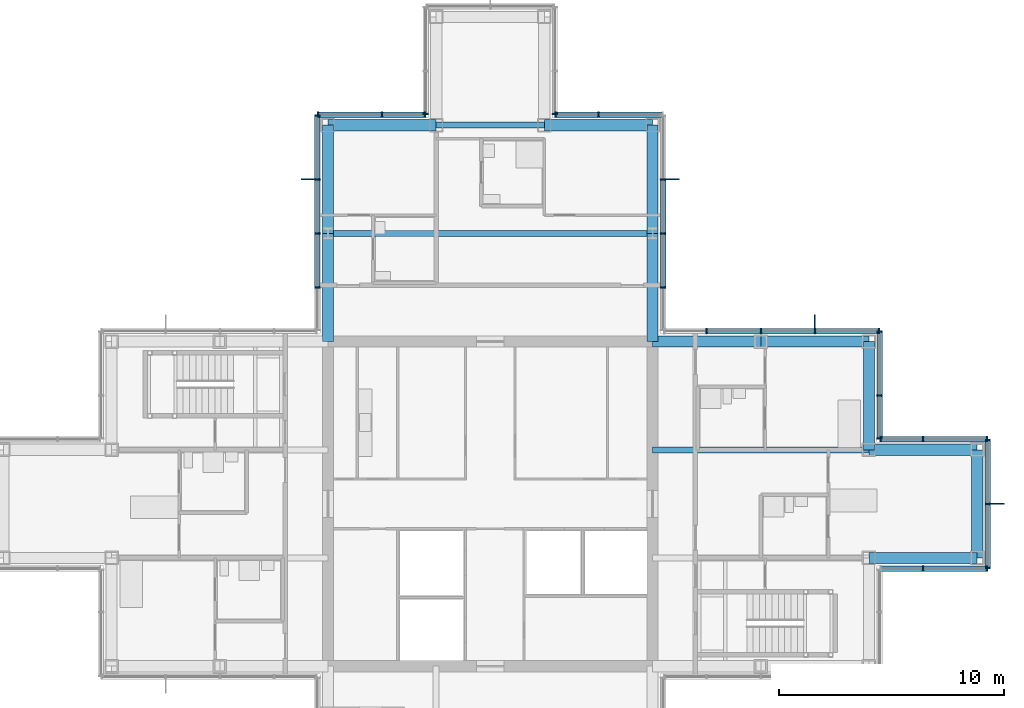
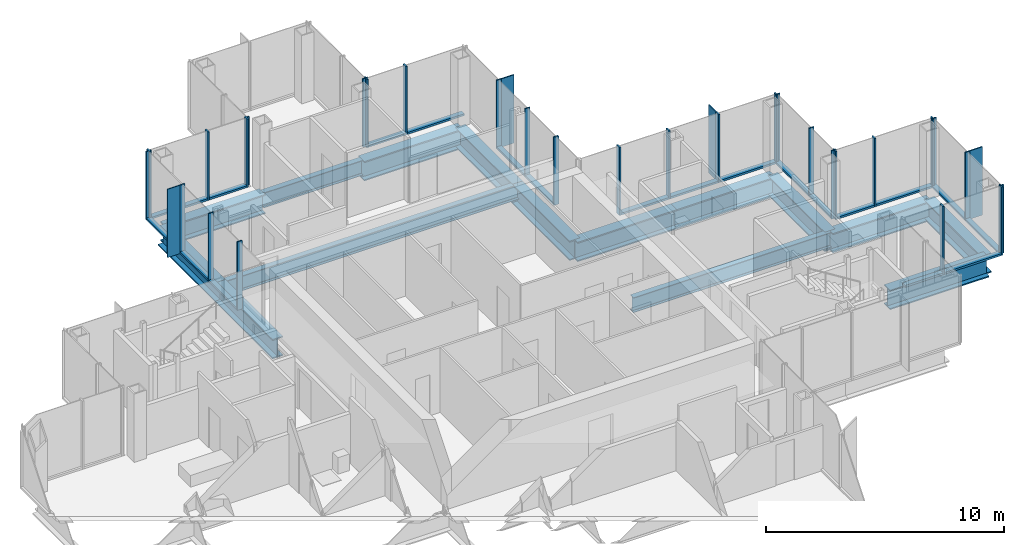
# One storey, part 8 of 17: 53 members, 15 beams, 11 elements without a shape of their own.
"""IFC4 building model written with IfcOpenShell, lengths in metres."""

from ifc_helpers import new_model, si_unit, direction, frame, origin, origin_2d, place, context, subcontext, project, spatial, rectangle, i_section, extrude, material, material_profile, profile_set, type_object, element, aggregate, save


model = new_model("IFC4")

# Units and contexts
model_context = context("Model", 3, precision=1e-05, world=origin(), true_north=direction((0.0, 1.0)))
body_context = subcontext(model_context, "Body", "Model", "MODEL_VIEW")
ifc_project = project(units=[si_unit("LENGTHUNIT", "METRE"), si_unit("AREAUNIT", "SQUARE_METRE"), si_unit("VOLUMEUNIT", "CUBIC_METRE"), si_unit("PLANEANGLEUNIT", "RADIAN"), si_unit("MASSUNIT", "GRAM", prefix="KILO")], contexts=[model_context])

# Site, building, storey
site_placement = place(None, origin())
site = spatial("IfcSite", under=ifc_project, at=site_placement, CompositionType="ELEMENT")
building_placement = place(site_placement, origin())
building = spatial("IfcBuilding", under=site, at=building_placement, Name="Kvirike Care Tower", CompositionType="ELEMENT")
storey_placement = place(building_placement, frame((0.0, 0.0, 165.5)))
storey = spatial("IfcBuildingStorey", under=building, at=storey_placement, Name="L45", CompositionType="ELEMENT", Elevation=165.5)

# Curtain wall, member
ifc_material_1 = material(Name="Anodised aluminium stick system", Category="aluminium")
curtain_wall_type = type_object("IfcCurtainWallType", Name="CW-C STICK CURTAIN WALL", PredefinedType="NOTDEFINED", material=ifc_material_1)
curtain_wall_1_placement = place(storey_placement, origin())
curtain_wall_1 = element("IfcCurtainWall", 1, at=curtain_wall_1_placement, inside=storey, type_object=curtain_wall_type, Name="Curtain wall L45 face 4", PredefinedType="NOTDEFINED")
ifc_material_2 = material(Name="Bronze anodised aluminium fin", Category="aluminium")
ifc_material_profile_1 = material_profile(ifc_material_2, rectangle(XDim=0.050048828125, YDim=0.60009765625, at=origin_2d()), Name="BRONZE FIN 600")
ifc_profile_set_1 = profile_set([ifc_material_profile_1], Name="Bronze anodised aluminium fin")
member_type_1 = type_object("IfcMemberType", Name="BRONZE FIN 600", PredefinedType="USERDEFINED", material=ifc_profile_set_1)
member_1_placement = place(storey_placement, frame((44.090087890625, 36.0, 0.0), z_axis=(0.0, 0.0, 1.0), x_axis=(0.0, 1.0, 0.0)))
member_1 = element("IfcMember", 2, at=member_1_placement, type_object=member_type_1, Name="Bronze fin L45 face 4.2", ObjectType="FIN", PredefinedType="USERDEFINED", context=body_context, shape_type="SweptSolid", body=[
    extrude(rectangle(XDim=0.050048828125, YDim=0.60009765625, at=origin_2d()), origin(), (0.0, 0.0, 1.0), 3.5),
])

curtain_wall_2_placement = place(storey_placement, origin())
curtain_wall_2 = element("IfcCurtainWall", 3, at=curtain_wall_2_placement, inside=storey, type_object=curtain_wall_type, Name="Curtain wall L45 face 7", PredefinedType="NOTDEFINED")
member_2_placement = place(storey_placement, frame((36.0, 44.090087890625, 0.0), z_axis=(0.0, 0.0, 1.0), x_axis=(-1.0, 0.0, 0.0)))
member_2 = element("IfcMember", 4, at=member_2_placement, type_object=member_type_1, Name="Bronze fin L45 face 7.2", ObjectType="FIN", PredefinedType="USERDEFINED", context=body_context, shape_type="SweptSolid", body=[
    extrude(rectangle(XDim=0.050048828125, YDim=0.60009765625, at=origin_2d()), origin(), (0.0, 0.0, 1.0), 3.5),
])

curtain_wall_3_placement = place(storey_placement, origin())
curtain_wall_3 = element("IfcCurtainWall", 5, at=curtain_wall_3_placement, inside=storey, type_object=curtain_wall_type, Name="Curtain wall L45 face 8", PredefinedType="NOTDEFINED")
member_3_placement = place(storey_placement, frame((29.68994140625, 50.39990234375, 0.0), z_axis=(0.0, 0.0, 1.0), x_axis=(0.0, 1.0, 0.0)))
member_3 = element("IfcMember", 6, at=member_3_placement, type_object=member_type_1, Name="Bronze fin L45 face 8.4", ObjectType="FIN", PredefinedType="USERDEFINED", context=body_context, shape_type="SweptSolid", body=[
    extrude(rectangle(XDim=0.050048828125, YDim=0.60009765625, at=origin_2d()), origin(), (0.0, 0.0, 1.0), 3.5),
])

curtain_wall_4_placement = place(storey_placement, origin())
curtain_wall_4 = element("IfcCurtainWall", 7, at=curtain_wall_4_placement, inside=storey, type_object=curtain_wall_type, Name="Curtain wall L45 face 14", PredefinedType="NOTDEFINED")
member_4_placement = place(storey_placement, frame((13.510009765625, 50.39990234375, 0.0), z_axis=(0.0, 0.0, 1.0), x_axis=(0.0, -1.0, 0.0)))
member_4 = element("IfcMember", 8, at=member_4_placement, type_object=member_type_1, Name="Bronze fin L45 face 14.2", ObjectType="FIN", PredefinedType="USERDEFINED", context=body_context, shape_type="SweptSolid", body=[
    extrude(rectangle(XDim=0.050048828125, YDim=0.60009765625, at=origin_2d()), origin(), (0.0, 0.0, 1.0), 3.5),
])

# Curtain wall, members
curtain_wall_5_placement = place(storey_placement, origin())
curtain_wall_5 = element("IfcCurtainWall", 9, at=curtain_wall_5_placement, inside=storey, type_object=curtain_wall_type, Name="Curtain wall L45 face 3", PredefinedType="NOTDEFINED")
ifc_material_3 = material(Name="Bronze anodised aluminium mullion", Category="aluminium")
ifc_material_profile_2 = material_profile(ifc_material_3, rectangle(XDim=0.06494140625, YDim=0.239990234375, at=origin_2d()), Name="CW-C MULLION 65x240")
ifc_profile_set_2 = profile_set([ifc_material_profile_2], Name="Bronze anodised aluminium mullion")
member_type_2 = type_object("IfcMemberType", Name="CW-C MULLION 65x240", PredefinedType="MULLION", material=ifc_profile_set_2)
member_5_placement = place(storey_placement, frame((40.800048828125, 33.1298828125, 0.0), z_axis=(0.0, 0.0, 1.0), x_axis=(1.0, 0.0, 0.0)))
member_5 = element("IfcMember", 10, at=member_5_placement, type_object=member_type_2, Name="CW-C mullion L45 face 3.2", PredefinedType="MULLION", context=body_context, shape_type="SweptSolid", body=[
    extrude(rectangle(XDim=0.06494140625, YDim=0.239990234375, at=origin_2d()), origin(), (0.0, 0.0, 1.0), 3.5),
])
member_6_placement = place(storey_placement, frame((43.637451171875, 33.1298828125, 0.0), z_axis=(0.0, 0.0, 1.0), x_axis=(1.0, 0.0, 0.0)))
member_6 = element("IfcMember", 11, at=member_6_placement, type_object=member_type_2, Name="CW-C mullion L45 face 3.3", PredefinedType="MULLION", context=body_context, shape_type="SweptSolid", body=[
    extrude(rectangle(XDim=0.06494140625, YDim=0.239990234375, at=origin_2d()), origin(), (0.0, 0.0, 1.0), 3.5),
])

# Member
member_7_placement = place(storey_placement, frame((43.669921875, 33.16259765625, 0.0), z_axis=(0.0, 0.0, 1.0), x_axis=(0.0, 1.0, 0.0)))
member_7 = element("IfcMember", 12, at=member_7_placement, type_object=member_type_2, Name="CW-C mullion L45 face 4.1", PredefinedType="MULLION", context=body_context, shape_type="SweptSolid", body=[
    extrude(rectangle(XDim=0.06494140625, YDim=0.239990234375, at=origin_2d()), origin(), (0.0, 0.0, 1.0), 3.5),
])

member_8_placement = place(storey_placement, frame((43.669921875, 36.0, 0.0), z_axis=(0.0, 0.0, 1.0), x_axis=(0.0, 1.0, 0.0)))
member_8 = element("IfcMember", 13, at=member_8_placement, type_object=member_type_2, Name="CW-C mullion L45 face 4.2", PredefinedType="MULLION", context=body_context, shape_type="SweptSolid", body=[
    extrude(rectangle(XDim=0.06494140625, YDim=0.239990234375, at=origin_2d()), origin(), (0.0, 0.0, 1.0), 3.5),
])

member_9_placement = place(storey_placement, frame((43.669921875, 38.83740234375, 0.0), z_axis=(0.0, 0.0, 1.0), x_axis=(0.0, 1.0, 0.0)))
member_9 = element("IfcMember", 14, at=member_9_placement, type_object=member_type_2, Name="CW-C mullion L45 face 4.3", PredefinedType="MULLION", context=body_context, shape_type="SweptSolid", body=[
    extrude(rectangle(XDim=0.06494140625, YDim=0.239990234375, at=origin_2d()), origin(), (0.0, 0.0, 1.0), 3.5),
])

# Curtain wall, members
curtain_wall_6_placement = place(storey_placement, origin())
curtain_wall_6 = element("IfcCurtainWall", 15, at=curtain_wall_6_placement, inside=storey, type_object=curtain_wall_type, Name="Curtain wall L45 face 5", PredefinedType="NOTDEFINED")
member_10_placement = place(storey_placement, frame((43.637451171875, 38.8701171875, 0.0), z_axis=(0.0, 0.0, 1.0), x_axis=(-1.0, 0.0, 0.0)))
member_10 = element("IfcMember", 16, at=member_10_placement, type_object=member_type_2, Name="CW-C mullion L45 face 5.1", PredefinedType="MULLION", context=body_context, shape_type="SweptSolid", body=[
    extrude(rectangle(XDim=0.06494140625, YDim=0.239990234375, at=origin_2d()), origin(), (0.0, 0.0, 1.0), 3.5),
])
member_11_placement = place(storey_placement, frame((40.800048828125, 38.8701171875, 0.0), z_axis=(0.0, 0.0, 1.0), x_axis=(-1.0, 0.0, 0.0)))
member_11 = element("IfcMember", 17, at=member_11_placement, type_object=member_type_2, Name="CW-C mullion L45 face 5.2", PredefinedType="MULLION", context=body_context, shape_type="SweptSolid", body=[
    extrude(rectangle(XDim=0.06494140625, YDim=0.239990234375, at=origin_2d()), origin(), (0.0, 0.0, 1.0), 3.5),
])
member_12_placement = place(storey_placement, frame((38.902587890625, 38.8701171875, 0.0), z_axis=(0.0, 0.0, 1.0), x_axis=(-1.0, 0.0, 0.0)))
member_12 = element("IfcMember", 18, at=member_12_placement, type_object=member_type_2, Name="CW-C mullion L45 face 5.3", PredefinedType="MULLION", context=body_context, shape_type="SweptSolid", body=[
    extrude(rectangle(XDim=0.06494140625, YDim=0.239990234375, at=origin_2d()), origin(), (0.0, 0.0, 1.0), 3.5),
])

curtain_wall_7_placement = place(storey_placement, origin())
curtain_wall_7 = element("IfcCurtainWall", 19, at=curtain_wall_7_placement, inside=storey, type_object=curtain_wall_type, Name="Curtain wall L45 face 6", PredefinedType="NOTDEFINED")
member_13_placement = place(storey_placement, frame((38.8701171875, 38.902587890625, 0.0), z_axis=(0.0, 0.0, 1.0), x_axis=(0.0, 1.0, 0.0)))
member_13 = element("IfcMember", 20, at=member_13_placement, type_object=member_type_2, Name="CW-C mullion L45 face 6.1", PredefinedType="MULLION", context=body_context, shape_type="SweptSolid", body=[
    extrude(rectangle(XDim=0.06494140625, YDim=0.239990234375, at=origin_2d()), origin(), (0.0, 0.0, 1.0), 3.5),
])
member_14_placement = place(storey_placement, frame((38.8701171875, 40.800048828125, 0.0), z_axis=(0.0, 0.0, 1.0), x_axis=(0.0, 1.0, 0.0)))
member_14 = element("IfcMember", 21, at=member_14_placement, type_object=member_type_2, Name="CW-C mullion L45 face 6.2", PredefinedType="MULLION", context=body_context, shape_type="SweptSolid", body=[
    extrude(rectangle(XDim=0.06494140625, YDim=0.239990234375, at=origin_2d()), origin(), (0.0, 0.0, 1.0), 3.5),
])
member_15_placement = place(storey_placement, frame((38.8701171875, 43.637451171875, 0.0), z_axis=(0.0, 0.0, 1.0), x_axis=(0.0, 1.0, 0.0)))
member_15 = element("IfcMember", 22, at=member_15_placement, type_object=member_type_2, Name="CW-C mullion L45 face 6.3", PredefinedType="MULLION", context=body_context, shape_type="SweptSolid", body=[
    extrude(rectangle(XDim=0.06494140625, YDim=0.239990234375, at=origin_2d()), origin(), (0.0, 0.0, 1.0), 3.5),
])

# Member
member_16_placement = place(storey_placement, frame((38.83740234375, 43.669921875, 0.0), z_axis=(0.0, 0.0, 1.0), x_axis=(-1.0, 0.0, 0.0)))
member_16 = element("IfcMember", 23, at=member_16_placement, type_object=member_type_2, Name="CW-C mullion L45 face 7.1", PredefinedType="MULLION", context=body_context, shape_type="SweptSolid", body=[
    extrude(rectangle(XDim=0.06494140625, YDim=0.239990234375, at=origin_2d()), origin(), (0.0, 0.0, 1.0), 3.5),
])

member_17_placement = place(storey_placement, frame((36.0, 43.669921875, 0.0), z_axis=(0.0, 0.0, 1.0), x_axis=(-1.0, 0.0, 0.0)))
member_17 = element("IfcMember", 24, at=member_17_placement, type_object=member_type_2, Name="CW-C mullion L45 face 7.2", PredefinedType="MULLION", context=body_context, shape_type="SweptSolid", body=[
    extrude(rectangle(XDim=0.06494140625, YDim=0.239990234375, at=origin_2d()), origin(), (0.0, 0.0, 1.0), 3.5),
])

member_18_placement = place(storey_placement, frame((33.60009765625, 43.669921875, 0.0), z_axis=(0.0, 0.0, 1.0), x_axis=(-1.0, 0.0, 0.0)))
member_18 = element("IfcMember", 25, at=member_18_placement, type_object=member_type_2, Name="CW-C mullion L45 face 7.3", PredefinedType="MULLION", context=body_context, shape_type="SweptSolid", body=[
    extrude(rectangle(XDim=0.06494140625, YDim=0.239990234375, at=origin_2d()), origin(), (0.0, 0.0, 1.0), 3.5),
])

member_19_placement = place(storey_placement, frame((31.199951171875, 43.669921875, 0.0), z_axis=(0.0, 0.0, 1.0), x_axis=(-1.0, 0.0, 0.0)))
member_19 = element("IfcMember", 26, at=member_19_placement, type_object=member_type_2, Name="CW-C mullion L45 face 7.4", PredefinedType="MULLION", context=body_context, shape_type="SweptSolid", body=[
    extrude(rectangle(XDim=0.06494140625, YDim=0.239990234375, at=origin_2d()), origin(), (0.0, 0.0, 1.0), 3.5),
])

member_20_placement = place(storey_placement, frame((29.27001953125, 45.60009765625, 0.0), z_axis=(0.0, 0.0, 1.0), x_axis=(0.0, 1.0, 0.0)))
member_20 = element("IfcMember", 27, at=member_20_placement, type_object=member_type_2, Name="CW-C mullion L45 face 8.2", PredefinedType="MULLION", context=body_context, shape_type="SweptSolid", body=[
    extrude(rectangle(XDim=0.06494140625, YDim=0.239990234375, at=origin_2d()), origin(), (0.0, 0.0, 1.0), 3.5),
])

member_21_placement = place(storey_placement, frame((29.27001953125, 48.0, 0.0), z_axis=(0.0, 0.0, 1.0), x_axis=(0.0, 1.0, 0.0)))
member_21 = element("IfcMember", 28, at=member_21_placement, type_object=member_type_2, Name="CW-C mullion L45 face 8.3", PredefinedType="MULLION", context=body_context, shape_type="SweptSolid", body=[
    extrude(rectangle(XDim=0.06494140625, YDim=0.239990234375, at=origin_2d()), origin(), (0.0, 0.0, 1.0), 3.5),
])

member_22_placement = place(storey_placement, frame((29.27001953125, 50.39990234375, 0.0), z_axis=(0.0, 0.0, 1.0), x_axis=(0.0, 1.0, 0.0)))
member_22 = element("IfcMember", 29, at=member_22_placement, type_object=member_type_2, Name="CW-C mullion L45 face 8.4", PredefinedType="MULLION", context=body_context, shape_type="SweptSolid", body=[
    extrude(rectangle(XDim=0.06494140625, YDim=0.239990234375, at=origin_2d()), origin(), (0.0, 0.0, 1.0), 3.5),
])

# Curtain wall, members
curtain_wall_8_placement = place(storey_placement, origin())
curtain_wall_8 = element("IfcCurtainWall", 30, at=curtain_wall_8_placement, inside=storey, type_object=curtain_wall_type, Name="Curtain wall L45 face 9", PredefinedType="NOTDEFINED")
member_23_placement = place(storey_placement, frame((26.39990234375, 53.27001953125, 0.0), z_axis=(0.0, 0.0, 1.0), x_axis=(-1.0, 0.0, 0.0)))
member_23 = element("IfcMember", 31, at=member_23_placement, type_object=member_type_2, Name="CW-C mullion L45 face 9.2", PredefinedType="MULLION", context=body_context, shape_type="SweptSolid", body=[
    extrude(rectangle(XDim=0.06494140625, YDim=0.239990234375, at=origin_2d()), origin(), (0.0, 0.0, 1.0), 3.5),
])
member_24_placement = place(storey_placement, frame((24.50244140625, 53.27001953125, 0.0), z_axis=(0.0, 0.0, 1.0), x_axis=(-1.0, 0.0, 0.0)))
member_24 = element("IfcMember", 32, at=member_24_placement, type_object=member_type_2, Name="CW-C mullion L45 face 9.3", PredefinedType="MULLION", context=body_context, shape_type="SweptSolid", body=[
    extrude(rectangle(XDim=0.06494140625, YDim=0.239990234375, at=origin_2d()), origin(), (0.0, 0.0, 1.0), 3.5),
])

# Curtain wall, member
curtain_wall_9_placement = place(storey_placement, origin())
curtain_wall_9 = element("IfcCurtainWall", 33, at=curtain_wall_9_placement, inside=storey, type_object=curtain_wall_type, Name="Curtain wall L45 face 10", PredefinedType="NOTDEFINED")
member_25_placement = place(storey_placement, frame((24.469970703125, 53.302490234375, 0.0), z_axis=(0.0, 0.0, 1.0), x_axis=(0.0, 1.0, 0.0)))
member_25 = element("IfcMember", 34, at=member_25_placement, type_object=member_type_2, Name="CW-C mullion L45 face 10.1", PredefinedType="MULLION", context=body_context, shape_type="SweptSolid", body=[
    extrude(rectangle(XDim=0.06494140625, YDim=0.239990234375, at=origin_2d()), origin(), (0.0, 0.0, 1.0), 3.5),
])
aggregate(curtain_wall_9, [member_25])

curtain_wall_10_placement = place(storey_placement, origin())
curtain_wall_10 = element("IfcCurtainWall", 35, at=curtain_wall_10_placement, inside=storey, type_object=curtain_wall_type, Name="Curtain wall L45 face 12", PredefinedType="NOTDEFINED")
member_26_placement = place(storey_placement, frame((18.72998046875, 53.302490234375, 0.0), z_axis=(0.0, 0.0, 1.0), x_axis=(0.0, -1.0, 0.0)))
member_26 = element("IfcMember", 36, at=member_26_placement, type_object=member_type_2, Name="CW-C mullion L45 face 12.3", PredefinedType="MULLION", context=body_context, shape_type="SweptSolid", body=[
    extrude(rectangle(XDim=0.06494140625, YDim=0.239990234375, at=origin_2d()), origin(), (0.0, 0.0, 1.0), 3.5),
])
aggregate(curtain_wall_10, [member_26])

# Curtain wall, members
curtain_wall_11_placement = place(storey_placement, origin())
curtain_wall_11 = element("IfcCurtainWall", 37, at=curtain_wall_11_placement, inside=storey, type_object=curtain_wall_type, Name="Curtain wall L45 face 13", PredefinedType="NOTDEFINED")
member_27_placement = place(storey_placement, frame((18.697509765625, 53.27001953125, 0.0), z_axis=(0.0, 0.0, 1.0), x_axis=(-1.0, 0.0, 0.0)))
member_27 = element("IfcMember", 38, at=member_27_placement, type_object=member_type_2, Name="CW-C mullion L45 face 13.1", PredefinedType="MULLION", context=body_context, shape_type="SweptSolid", body=[
    extrude(rectangle(XDim=0.06494140625, YDim=0.239990234375, at=origin_2d()), origin(), (0.0, 0.0, 1.0), 3.5),
])
member_28_placement = place(storey_placement, frame((16.800048828125, 53.27001953125, 0.0), z_axis=(0.0, 0.0, 1.0), x_axis=(-1.0, 0.0, 0.0)))
member_28 = element("IfcMember", 39, at=member_28_placement, type_object=member_type_2, Name="CW-C mullion L45 face 13.2", PredefinedType="MULLION", context=body_context, shape_type="SweptSolid", body=[
    extrude(rectangle(XDim=0.06494140625, YDim=0.239990234375, at=origin_2d()), origin(), (0.0, 0.0, 1.0), 3.5),
])
member_29_placement = place(storey_placement, frame((13.96240234375, 53.27001953125, 0.0), z_axis=(0.0, 0.0, 1.0), x_axis=(-1.0, 0.0, 0.0)))
member_29 = element("IfcMember", 40, at=member_29_placement, type_object=member_type_2, Name="CW-C mullion L45 face 13.3", PredefinedType="MULLION", context=body_context, shape_type="SweptSolid", body=[
    extrude(rectangle(XDim=0.06494140625, YDim=0.239990234375, at=origin_2d()), origin(), (0.0, 0.0, 1.0), 3.5),
])

# Member
member_30_placement = place(storey_placement, frame((13.929931640625, 53.237548828125, 0.0), z_axis=(0.0, 0.0, 1.0), x_axis=(0.0, -1.0, 0.0)))
member_30 = element("IfcMember", 41, at=member_30_placement, type_object=member_type_2, Name="CW-C mullion L45 face 14.1", PredefinedType="MULLION", context=body_context, shape_type="SweptSolid", body=[
    extrude(rectangle(XDim=0.06494140625, YDim=0.239990234375, at=origin_2d()), origin(), (0.0, 0.0, 1.0), 3.5),
])

member_31_placement = place(storey_placement, frame((13.929931640625, 50.39990234375, 0.0), z_axis=(0.0, 0.0, 1.0), x_axis=(0.0, -1.0, 0.0)))
member_31 = element("IfcMember", 42, at=member_31_placement, type_object=member_type_2, Name="CW-C mullion L45 face 14.2", PredefinedType="MULLION", context=body_context, shape_type="SweptSolid", body=[
    extrude(rectangle(XDim=0.06494140625, YDim=0.239990234375, at=origin_2d()), origin(), (0.0, 0.0, 1.0), 3.5),
])

member_32_placement = place(storey_placement, frame((13.929931640625, 48.0, 0.0), z_axis=(0.0, 0.0, 1.0), x_axis=(0.0, -1.0, 0.0)))
member_32 = element("IfcMember", 43, at=member_32_placement, type_object=member_type_2, Name="CW-C mullion L45 face 14.3", PredefinedType="MULLION", context=body_context, shape_type="SweptSolid", body=[
    extrude(rectangle(XDim=0.06494140625, YDim=0.239990234375, at=origin_2d()), origin(), (0.0, 0.0, 1.0), 3.5),
])

member_33_placement = place(storey_placement, frame((13.929931640625, 45.60009765625, 0.0), z_axis=(0.0, 0.0, 1.0), x_axis=(0.0, -1.0, 0.0)))
member_33 = element("IfcMember", 44, at=member_33_placement, type_object=member_type_2, Name="CW-C mullion L45 face 14.4", PredefinedType="MULLION", context=body_context, shape_type="SweptSolid", body=[
    extrude(rectangle(XDim=0.06494140625, YDim=0.239990234375, at=origin_2d()), origin(), (0.0, 0.0, 1.0), 3.5),
])

ifc_material_4 = material(Name="Bronze anodised aluminium transom", Category="aluminium")
ifc_material_profile_3 = material_profile(ifc_material_4, rectangle(XDim=0.239990234375, YDim=0.10009765625, at=origin_2d()), Name="CW-C TRANSOM 240x100")
ifc_profile_set_3 = profile_set([ifc_material_profile_3], Name="Bronze anodised aluminium transom")
member_type_3 = type_object("IfcMemberType", Name="CW-C TRANSOM 240x100", PredefinedType="USERDEFINED", material=ifc_profile_set_3)
member_34_placement = place(storey_placement, frame((38.93505859375, 33.1298828125, 0.050048828125), z_axis=(1.0, 0.0, 0.0), x_axis=(0.0, 1.0, 0.0)))
member_34 = element("IfcMember", 45, at=member_34_placement, type_object=member_type_3, Name="CW-C sill transom L45 face 3.1", ObjectType="TRANSOM", PredefinedType="USERDEFINED", context=body_context, shape_type="SweptSolid", body=[
    extrude(rectangle(XDim=0.239990234375, YDim=0.10009765625, at=origin_2d()), origin(), (0.0, 0.0, 1.0), 1.83251953125),
])

member_35_placement = place(storey_placement, frame((40.83251953125, 33.1298828125, 0.050048828125), z_axis=(1.0, 0.0, 0.0), x_axis=(0.0, 1.0, 0.0)))
member_35 = element("IfcMember", 46, at=member_35_placement, type_object=member_type_3, Name="CW-C sill transom L45 face 3.2", ObjectType="TRANSOM", PredefinedType="USERDEFINED", context=body_context, shape_type="SweptSolid", body=[
    extrude(rectangle(XDim=0.239990234375, YDim=0.10009765625, at=origin_2d()), origin(), (0.0, 0.0, 1.0), 2.7724609375),
])

aggregate(curtain_wall_5, [member_5, member_6, member_34, member_35])

member_36_placement = place(storey_placement, frame((43.669921875, 33.195068359375, 0.050048828125), z_axis=(0.0, 1.0, 0.0), x_axis=(-1.0, 0.0, 0.0)))
member_36 = element("IfcMember", 47, at=member_36_placement, type_object=member_type_3, Name="CW-C sill transom L45 face 4.1", ObjectType="TRANSOM", PredefinedType="USERDEFINED", context=body_context, shape_type="SweptSolid", body=[
    extrude(rectangle(XDim=0.239990234375, YDim=0.10009765625, at=origin_2d()), origin(), (0.0, 0.0, 1.0), 2.7724609375),
])

member_37_placement = place(storey_placement, frame((43.669921875, 36.032470703125, 0.050048828125), z_axis=(0.0, 1.0, 0.0), x_axis=(-1.0, 0.0, 0.0)))
member_37 = element("IfcMember", 48, at=member_37_placement, type_object=member_type_3, Name="CW-C sill transom L45 face 4.2", ObjectType="TRANSOM", PredefinedType="USERDEFINED", context=body_context, shape_type="SweptSolid", body=[
    extrude(rectangle(XDim=0.239990234375, YDim=0.10009765625, at=origin_2d()), origin(), (0.0, 0.0, 1.0), 2.7724609375),
])

aggregate(curtain_wall_1, [member_7, member_8, member_1, member_9, member_36, member_37])

member_38_placement = place(storey_placement, frame((43.60498046875, 38.8701171875, 0.050048828125), z_axis=(-1.0, 0.0, 0.0), x_axis=(0.0, -1.0, 0.0)))
member_38 = element("IfcMember", 49, at=member_38_placement, type_object=member_type_3, Name="CW-C sill transom L45 face 5.1", ObjectType="TRANSOM", PredefinedType="USERDEFINED", context=body_context, shape_type="SweptSolid", body=[
    extrude(rectangle(XDim=0.239990234375, YDim=0.10009765625, at=origin_2d()), origin(), (0.0, 0.0, 1.0), 2.7724609375),
])

member_39_placement = place(storey_placement, frame((40.767578125, 38.8701171875, 0.050048828125), z_axis=(-1.0, 0.0, 0.0), x_axis=(0.0, -1.0, 0.0)))
member_39 = element("IfcMember", 50, at=member_39_placement, type_object=member_type_3, Name="CW-C sill transom L45 face 5.2", ObjectType="TRANSOM", PredefinedType="USERDEFINED", context=body_context, shape_type="SweptSolid", body=[
    extrude(rectangle(XDim=0.239990234375, YDim=0.10009765625, at=origin_2d()), origin(), (0.0, 0.0, 1.0), 1.83251953125),
])

aggregate(curtain_wall_6, [member_10, member_11, member_12, member_38, member_39])

member_40_placement = place(storey_placement, frame((38.8701171875, 38.93505859375, 0.050048828125), z_axis=(0.0, 1.0, 0.0), x_axis=(-1.0, 0.0, 0.0)))
member_40 = element("IfcMember", 51, at=member_40_placement, type_object=member_type_3, Name="CW-C sill transom L45 face 6.1", ObjectType="TRANSOM", PredefinedType="USERDEFINED", context=body_context, shape_type="SweptSolid", body=[
    extrude(rectangle(XDim=0.239990234375, YDim=0.10009765625, at=origin_2d()), origin(), (0.0, 0.0, 1.0), 1.83251953125),
])

member_41_placement = place(storey_placement, frame((38.8701171875, 40.83251953125, 0.050048828125), z_axis=(0.0, 1.0, 0.0), x_axis=(-1.0, 0.0, 0.0)))
member_41 = element("IfcMember", 52, at=member_41_placement, type_object=member_type_3, Name="CW-C sill transom L45 face 6.2", ObjectType="TRANSOM", PredefinedType="USERDEFINED", context=body_context, shape_type="SweptSolid", body=[
    extrude(rectangle(XDim=0.239990234375, YDim=0.10009765625, at=origin_2d()), origin(), (0.0, 0.0, 1.0), 2.7724609375),
])

aggregate(curtain_wall_7, [member_13, member_14, member_15, member_40, member_41])

member_42_placement = place(storey_placement, frame((38.804931640625, 43.669921875, 0.050048828125), z_axis=(-1.0, 0.0, 0.0), x_axis=(0.0, -1.0, 0.0)))
member_42 = element("IfcMember", 53, at=member_42_placement, type_object=member_type_3, Name="CW-C sill transom L45 face 7.1", ObjectType="TRANSOM", PredefinedType="USERDEFINED", context=body_context, shape_type="SweptSolid", body=[
    extrude(rectangle(XDim=0.239990234375, YDim=0.10009765625, at=origin_2d()), origin(), (0.0, 0.0, 1.0), 2.7724609375),
])

member_43_placement = place(storey_placement, frame((35.967529296875, 43.669921875, 0.050048828125), z_axis=(-1.0, 0.0, 0.0), x_axis=(0.0, -1.0, 0.0)))
member_43 = element("IfcMember", 54, at=member_43_placement, type_object=member_type_3, Name="CW-C sill transom L45 face 7.2", ObjectType="TRANSOM", PredefinedType="USERDEFINED", context=body_context, shape_type="SweptSolid", body=[
    extrude(rectangle(XDim=0.239990234375, YDim=0.10009765625, at=origin_2d()), origin(), (0.0, 0.0, 1.0), 2.3349609375),
])

member_44_placement = place(storey_placement, frame((33.5673828125, 43.669921875, 0.050048828125), z_axis=(-1.0, 0.0, 0.0), x_axis=(0.0, -1.0, 0.0)))
member_44 = element("IfcMember", 55, at=member_44_placement, type_object=member_type_3, Name="CW-C sill transom L45 face 7.3", ObjectType="TRANSOM", PredefinedType="USERDEFINED", context=body_context, shape_type="SweptSolid", body=[
    extrude(rectangle(XDim=0.239990234375, YDim=0.10009765625, at=origin_2d()), origin(), (0.0, 0.0, 1.0), 2.3349609375),
])

aggregate(curtain_wall_2, [member_16, member_17, member_2, member_18, member_19, member_42, member_43, member_44])

member_45_placement = place(storey_placement, frame((29.27001953125, 45.632568359375, 0.050048828125), z_axis=(0.0, 1.0, 0.0), x_axis=(-1.0, 0.0, 0.0)))
member_45 = element("IfcMember", 56, at=member_45_placement, type_object=member_type_3, Name="CW-C sill transom L45 face 8.2", ObjectType="TRANSOM", PredefinedType="USERDEFINED", context=body_context, shape_type="SweptSolid", body=[
    extrude(rectangle(XDim=0.239990234375, YDim=0.10009765625, at=origin_2d()), origin(), (0.0, 0.0, 1.0), 2.3349609375),
])

member_46_placement = place(storey_placement, frame((29.27001953125, 48.032470703125, 0.050048828125), z_axis=(0.0, 1.0, 0.0), x_axis=(-1.0, 0.0, 0.0)))
member_46 = element("IfcMember", 57, at=member_46_placement, type_object=member_type_3, Name="CW-C sill transom L45 face 8.3", ObjectType="TRANSOM", PredefinedType="USERDEFINED", context=body_context, shape_type="SweptSolid", body=[
    extrude(rectangle(XDim=0.239990234375, YDim=0.10009765625, at=origin_2d()), origin(), (0.0, 0.0, 1.0), 2.3349609375),
])

aggregate(curtain_wall_3, [member_20, member_21, member_22, member_3, member_45, member_46])

member_47_placement = place(storey_placement, frame((29.205078125, 53.27001953125, 0.050048828125), z_axis=(-1.0, 0.0, 0.0), x_axis=(0.0, -1.0, 0.0)))
member_47 = element("IfcMember", 58, at=member_47_placement, type_object=member_type_3, Name="CW-C sill transom L45 face 9.1", ObjectType="TRANSOM", PredefinedType="USERDEFINED", context=body_context, shape_type="SweptSolid", body=[
    extrude(rectangle(XDim=0.239990234375, YDim=0.10009765625, at=origin_2d()), origin(), (0.0, 0.0, 1.0), 2.7724609375),
])

member_48_placement = place(storey_placement, frame((26.367431640625, 53.27001953125, 0.050048828125), z_axis=(-1.0, 0.0, 0.0), x_axis=(0.0, -1.0, 0.0)))
member_48 = element("IfcMember", 59, at=member_48_placement, type_object=member_type_3, Name="CW-C sill transom L45 face 9.2", ObjectType="TRANSOM", PredefinedType="USERDEFINED", context=body_context, shape_type="SweptSolid", body=[
    extrude(rectangle(XDim=0.239990234375, YDim=0.10009765625, at=origin_2d()), origin(), (0.0, 0.0, 1.0), 1.83251953125),
])

aggregate(curtain_wall_8, [member_23, member_24, member_47, member_48])

member_49_placement = place(storey_placement, frame((18.6650390625, 53.27001953125, 0.050048828125), z_axis=(-1.0, 0.0, 0.0), x_axis=(0.0, -1.0, 0.0)))
member_49 = element("IfcMember", 60, at=member_49_placement, type_object=member_type_3, Name="CW-C sill transom L45 face 13.1", ObjectType="TRANSOM", PredefinedType="USERDEFINED", context=body_context, shape_type="SweptSolid", body=[
    extrude(rectangle(XDim=0.239990234375, YDim=0.10009765625, at=origin_2d()), origin(), (0.0, 0.0, 1.0), 1.83251953125),
])

member_50_placement = place(storey_placement, frame((16.767578125, 53.27001953125, 0.050048828125), z_axis=(-1.0, 0.0, 0.0), x_axis=(0.0, -1.0, 0.0)))
member_50 = element("IfcMember", 61, at=member_50_placement, type_object=member_type_3, Name="CW-C sill transom L45 face 13.2", ObjectType="TRANSOM", PredefinedType="USERDEFINED", context=body_context, shape_type="SweptSolid", body=[
    extrude(rectangle(XDim=0.239990234375, YDim=0.10009765625, at=origin_2d()), origin(), (0.0, 0.0, 1.0), 2.7724609375),
])

aggregate(curtain_wall_11, [member_27, member_28, member_29, member_49, member_50])

member_51_placement = place(storey_placement, frame((13.929931640625, 53.205078125, 0.050048828125), z_axis=(0.0, -1.0, 0.0), x_axis=(1.0, 0.0, 0.0)))
member_51 = element("IfcMember", 62, at=member_51_placement, type_object=member_type_3, Name="CW-C sill transom L45 face 14.1", ObjectType="TRANSOM", PredefinedType="USERDEFINED", context=body_context, shape_type="SweptSolid", body=[
    extrude(rectangle(XDim=0.239990234375, YDim=0.10009765625, at=origin_2d()), origin(), (0.0, 0.0, 1.0), 2.7724609375),
])

member_52_placement = place(storey_placement, frame((13.929931640625, 50.367431640625, 0.050048828125), z_axis=(0.0, -1.0, 0.0), x_axis=(1.0, 0.0, 0.0)))
member_52 = element("IfcMember", 63, at=member_52_placement, type_object=member_type_3, Name="CW-C sill transom L45 face 14.2", ObjectType="TRANSOM", PredefinedType="USERDEFINED", context=body_context, shape_type="SweptSolid", body=[
    extrude(rectangle(XDim=0.239990234375, YDim=0.10009765625, at=origin_2d()), origin(), (0.0, 0.0, 1.0), 2.3349609375),
])

member_53_placement = place(storey_placement, frame((13.929931640625, 47.967529296875, 0.050048828125), z_axis=(0.0, -1.0, 0.0), x_axis=(1.0, 0.0, 0.0)))
member_53 = element("IfcMember", 64, at=member_53_placement, type_object=member_type_3, Name="CW-C sill transom L45 face 14.3", ObjectType="TRANSOM", PredefinedType="USERDEFINED", context=body_context, shape_type="SweptSolid", body=[
    extrude(rectangle(XDim=0.239990234375, YDim=0.10009765625, at=origin_2d()), origin(), (0.0, 0.0, 1.0), 2.3349609375),
])

aggregate(curtain_wall_4, [member_30, member_31, member_4, member_32, member_33, member_51, member_52, member_53])

# Beams
ifc_material_5 = material(Name="Steel S355", Category="steel")
ifc_material_profile_4 = material_profile(ifc_material_5, i_section(OverallWidth=0.26806640625, OverallDepth=0.77001953125, WebThickness=0.015625, FlangeThickness=0.025390625, FilletRadius=0.01708984375, at=origin_2d()), Name="IPE 750x196")
ifc_profile_set_4 = profile_set([ifc_material_profile_4], Name="Steel S355")
beam_type_1 = type_object("IfcBeamType", Name="FLOOR BEAM IPE 750x196", PredefinedType="BEAM", material=ifc_profile_set_4)
beam_1_placement = place(storey_placement, frame((28.800048828125, 38.39990234375, -0.554931640625), z_axis=(1.0, 0.0, 0.0), x_axis=(0.0, 1.0, 0.0)))
element("IfcBeam", 65, at=beam_1_placement, inside=storey, type_object=beam_type_1, Name="Floor Beam J9-J11 L45", PredefinedType="BEAM", context=body_context, shape_type="SweptSolid", body=[
    extrude(i_section(OverallWidth=0.26806640625, OverallDepth=0.77001953125, WebThickness=0.015625, FlangeThickness=0.025390625, FilletRadius=0.01708984375, at=origin_2d()), origin(), (0.0, 0.0, 1.0), 9.599853515625),
])
beam_2_placement = place(storey_placement, frame((14.39990234375, 48.0, -0.554931640625), z_axis=(1.0, 0.0, 0.0), x_axis=(0.0, 1.0, 0.0)))
element("IfcBeam", 66, at=beam_2_placement, inside=storey, type_object=beam_type_1, Name="Floor Beam L6-L9 L45", PredefinedType="BEAM", context=body_context, shape_type="SweptSolid", body=[
    extrude(i_section(OverallWidth=0.26806640625, OverallDepth=0.77001953125, WebThickness=0.015625, FlangeThickness=0.025390625, FilletRadius=0.01708984375, at=origin_2d()), origin(), (0.0, 0.0, 1.0), 14.400146484375),
])
beam_3_placement = place(storey_placement, frame((19.199951171875, 52.800048828125, -0.554931640625), z_axis=(1.0, 0.0, 0.0), x_axis=(0.0, 1.0, 0.0)))
element("IfcBeam", 67, at=beam_3_placement, inside=storey, type_object=beam_type_1, Name="Floor Beam M7-M8 L45", PredefinedType="BEAM", context=body_context, shape_type="SweptSolid", body=[
    extrude(i_section(OverallWidth=0.26806640625, OverallDepth=0.77001953125, WebThickness=0.015625, FlangeThickness=0.025390625, FilletRadius=0.01708984375, at=origin_2d()), origin(), (0.0, 0.0, 1.0), 4.800048828125),
])
ifc_material_6 = material(Name="Steel S355", Category="steel")
ifc_material_profile_5 = material_profile(ifc_material_6, i_section(OverallWidth=0.5, OverallDepth=1.0, WebThickness=0.030029296875, FlangeThickness=0.06005859375, at=origin_2d()), Name="PG 1000x500x30x60")
ifc_profile_set_5 = profile_set([ifc_material_profile_5], Name="Steel S355")
beam_type_2 = type_object("IfcBeamType", Name="SPANDREL PG 1000x500x30x60", PredefinedType="SPANDREL", material=ifc_profile_set_5)
for number, where, z_axis, x_axis, name in (
    (68, (38.39990234375, 33.60009765625, -0.669921875), (1.0, 0.0, 0.0), (0.0, 1.0, 0.0), "Spandrel H11-H12 L45"),
    (69, (38.39990234375, 38.39990234375, -0.669921875), (1.0, 0.0, 0.0), (0.0, 1.0, 0.0), "Spandrel J11-J12 L45"),
    (70, (28.800048828125, 43.199951171875, -0.669921875), (1.0, 0.0, 0.0), (0.0, 1.0, 0.0), "Spandrel K9-K10 L45"),
):
    element("IfcBeam", number, at=place(storey_placement, frame(where, z_axis=z_axis, x_axis=x_axis)), inside=storey, type_object=beam_type_2, Name=name, PredefinedType="SPANDREL", context=body_context, shape_type="SweptSolid", body=[
        extrude(i_section(OverallWidth=0.5, OverallDepth=1.0, WebThickness=0.030029296875, FlangeThickness=0.06005859375, at=origin_2d()), origin(), (0.0, 0.0, 1.0), 4.800048828125),
    ])
beam_4_placement = place(storey_placement, frame((33.60009765625, 43.199951171875, -0.669921875), z_axis=(1.0, 0.0, 0.0), x_axis=(0.0, 1.0, 0.0)))
element("IfcBeam", 71, at=beam_4_placement, inside=storey, type_object=beam_type_2, Name="Spandrel K10-K11 L45", PredefinedType="SPANDREL", context=body_context, shape_type="SweptSolid", body=[
    extrude(i_section(OverallWidth=0.5, OverallDepth=1.0, WebThickness=0.030029296875, FlangeThickness=0.06005859375, at=origin_2d()), origin(), (0.0, 0.0, 1.0), 4.7998046875),
])
for number, where, z_axis, x_axis, name in (
    (72, (14.39990234375, 52.800048828125, -0.669921875), (1.0, 0.0, 0.0), (0.0, 1.0, 0.0), "Spandrel M6-M7 L45"),
    (73, (24.0, 52.800048828125, -0.669921875), (1.0, 0.0, 0.0), (0.0, 1.0, 0.0), "Spandrel M8-M9 L45"),
    (74, (14.39990234375, 43.199951171875, -0.669921875), (0.0, 1.0, 0.0), (-1.0, 0.0, 0.0), "Spandrel K6-L6 L45"),
    (75, (14.39990234375, 48.0, -0.669921875), (0.0, 1.0, 0.0), (-1.0, 0.0, 0.0), "Spandrel L6-M6 L45"),
    (76, (28.800048828125, 43.199951171875, -0.669921875), (0.0, 1.0, 0.0), (-1.0, 0.0, 0.0), "Spandrel K9-L9 L45"),
    (77, (28.800048828125, 48.0, -0.669921875), (0.0, 1.0, 0.0), (-1.0, 0.0, 0.0), "Spandrel L9-M9 L45"),
    (78, (38.39990234375, 38.39990234375, -0.669921875), (0.0, 1.0, 0.0), (-1.0, 0.0, 0.0), "Spandrel J11-K11 L45"),
):
    element("IfcBeam", number, at=place(storey_placement, frame(where, z_axis=z_axis, x_axis=x_axis)), inside=storey, type_object=beam_type_2, Name=name, PredefinedType="SPANDREL", context=body_context, shape_type="SweptSolid", body=[
        extrude(i_section(OverallWidth=0.5, OverallDepth=1.0, WebThickness=0.030029296875, FlangeThickness=0.06005859375, at=origin_2d()), origin(), (0.0, 0.0, 1.0), 4.800048828125),
    ])
beam_5_placement = place(storey_placement, frame((43.199951171875, 33.60009765625, -0.669921875), z_axis=(0.0, 1.0, 0.0), x_axis=(-1.0, 0.0, 0.0)))
element("IfcBeam", 79, at=beam_5_placement, inside=storey, type_object=beam_type_2, Name="Spandrel H12-J12 L45", PredefinedType="SPANDREL", context=body_context, shape_type="SweptSolid", body=[
    extrude(i_section(OverallWidth=0.5, OverallDepth=1.0, WebThickness=0.030029296875, FlangeThickness=0.06005859375, at=origin_2d()), origin(), (0.0, 0.0, 1.0), 4.7998046875),
])

save(model, "model.ifc")
